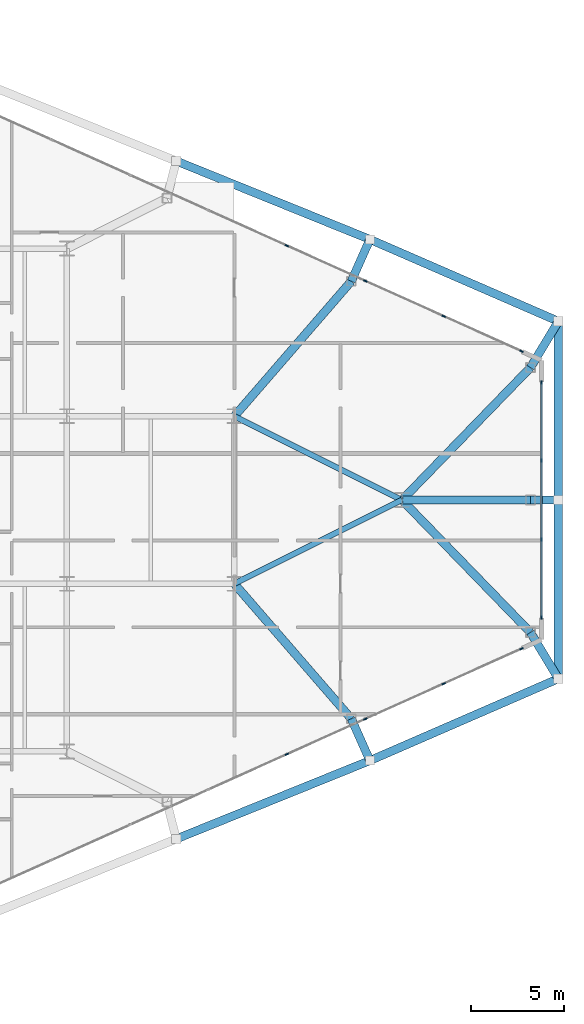
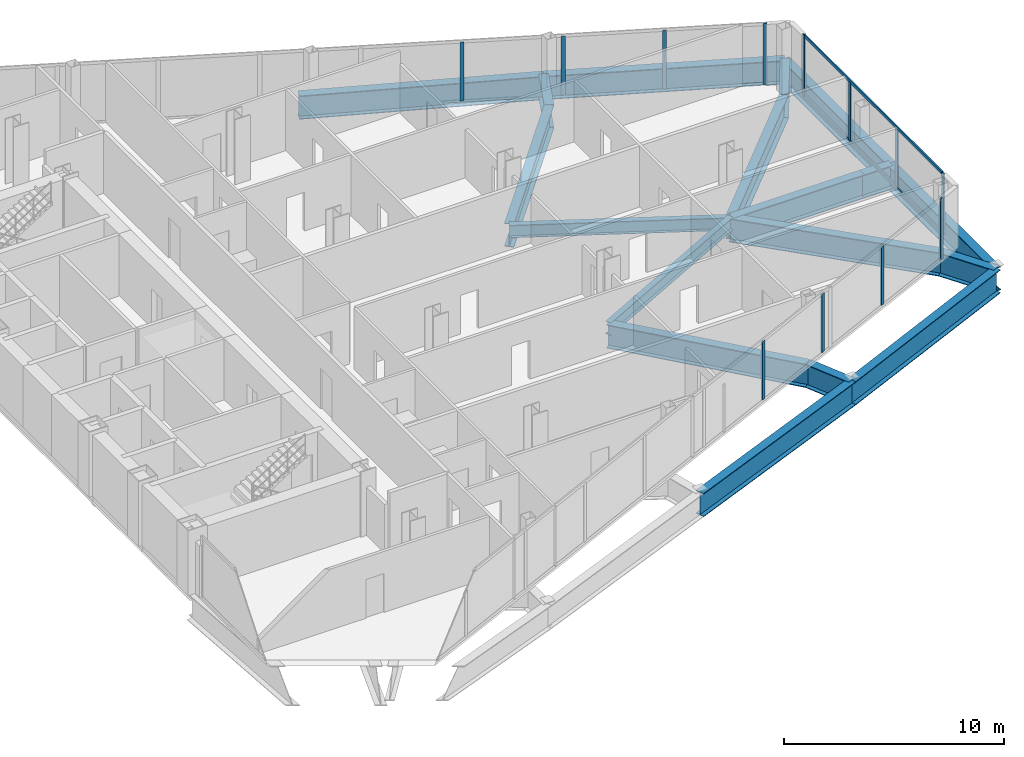
# One storey, part 17 of 29: 18 beams, 14 members, 3 elements without a shape of their own.
"""IFC4 building model written with IfcOpenShell, lengths in metres."""

from ifc_helpers import new_model, si_unit, direction, frame, origin, origin_2d, place, context, subcontext, project, spatial, rectangle, i_section, extrude, source, transform, mapped, material, layer, layer_set, material_profile, profile_set, type_object, type_shapes, element, aggregate, save


model = new_model("IFC4")

# Units and contexts
model_context = context("Model", 3, precision=1e-05, world=origin(), true_north=direction((0.0, 1.0)))
body_context = subcontext(model_context, "Body", "Model", "MODEL_VIEW")
ifc_project = project(units=[si_unit("LENGTHUNIT", "METRE"), si_unit("AREAUNIT", "SQUARE_METRE"), si_unit("VOLUMEUNIT", "CUBIC_METRE"), si_unit("PLANEANGLEUNIT", "RADIAN"), si_unit("MASSUNIT", "GRAM", prefix="KILO")], contexts=[model_context])

# Site, building, storey
site_placement = place(None, origin())
site = spatial("IfcSite", under=ifc_project, at=site_placement, CompositionType="ELEMENT")
building_placement = place(site_placement, origin())
building = spatial("IfcBuilding", under=site, at=building_placement, Name="Seokmaru Belvedere", CompositionType="ELEMENT")
storey_placement = place(building_placement, frame((0.0, 0.0, 62.10009765625)))
storey = spatial("IfcBuildingStorey", under=building, at=storey_placement, Name="L16", CompositionType="ELEMENT", Elevation=62.10009765625)

# Beams
ifc_material_1 = material(Name="Steel SM355 (355 MPa)", Category="steel")
ifc_material_profile_1 = material_profile(ifc_material_1, i_section(OverallWidth=0.300048828125, OverallDepth=0.699951171875, WebThickness=0.012939453125, FlangeThickness=0.02392578125, at=origin_2d()), Name="H-700x300x13x24")
ifc_profile_set_1 = profile_set([ifc_material_profile_1], Name="Steel SM355 (355 MPa)")
beam_type_1 = type_object("IfcBeamType", Name="Primary Floor Girder H-700", PredefinedType="BEAM", material=ifc_profile_set_1)
shared_shape_1 = source(origin(), body_context, "Body", "SweptSolid", [
    extrude(i_section(OverallWidth=0.300048828125, OverallDepth=0.699951171875, WebThickness=0.012939453125, FlangeThickness=0.02392578125, at=origin_2d()), origin(), (0.0, 0.0, 1.0), 10.062255859375),
])
type_shapes(beam_type_1, [shared_shape_1])
for number, where, z_axis, x_axis, name in (
    (1, (54.5, -4.5, -0.570068359375), (0.894427191, 0.4472135955, 0.0), (-0.4472135955, 0.894427191, 0.0), "L16 E Apex Converging Girder 1"),
    (2, (54.5, 4.5, -0.570068359375), (0.894427191, -0.4472135955, 0.0), (0.4472135955, 0.894427191, 0.0), "L16 E Apex Converging Girder 2"),
):
    element("IfcBeam", number, at=place(storey_placement, frame(where, z_axis=z_axis, x_axis=x_axis)), inside=storey, type_object=beam_type_1, Name=name, PredefinedType="BEAM", context=body_context, shape_type="MappedRepresentation", body=[
        mapped(shared_shape_1, transform((0.0, 0.0, 0.0), scale=1.0)),
    ])
ifc_material_2 = material(Name="Steel HSA650 (650 MPa)", Category="steel")
ifc_material_profile_2 = material_profile(ifc_material_2, i_section(OverallWidth=0.449951171875, OverallDepth=1.300048828125, WebThickness=0.02197265625, FlangeThickness=0.0380859375, at=origin_2d()), Name="BH-1300x450x22x38")
ifc_profile_set_2 = profile_set([ifc_material_profile_2], Name="Steel HSA650 (650 MPa)")
beam_type_2 = type_object("IfcBeamType", Name="Observatory Long-Span Roof Girder BH-1300", PredefinedType="BEAM", material=ifc_profile_set_2)
shared_shape_2 = source(origin(), body_context, "Body", "SweptSolid", [
    extrude(i_section(OverallWidth=0.449951171875, OverallDepth=1.300048828125, WebThickness=0.02197265625, FlangeThickness=0.0380859375, at=origin_2d()), origin(), (0.0, 0.0, 1.0), 11.220703125),
])
for number, where, z_axis, x_axis, name in (
    (3, (51.378173828125, -18.2041015625, -0.8701171875), (0.926944290816, 0.375198989503, 0.0), (-0.375198989503, 0.926944290816, 0.0), "L16 E Faceted Flank Spandrel S-3"),
    (4, (51.378173828125, 18.2041015625, -0.8701171875), (0.926944290816, -0.375198989503, 0.0), (0.375198989503, 0.926944290816, 0.0), "L16 E Faceted Flank Spandrel N-3"),
):
    element("IfcBeam", number, at=place(storey_placement, frame(where, z_axis=z_axis, x_axis=x_axis)), inside=storey, type_object=beam_type_2, Name=name, PredefinedType="BEAM", context=body_context, shape_type="MappedRepresentation", body=[
        mapped(shared_shape_2, transform((0.0, 0.0, 0.0), scale=1.0)),
    ])
shared_shape_3 = source(origin(), body_context, "Body", "SweptSolid", [
    extrude(i_section(OverallWidth=0.449951171875, OverallDepth=1.300048828125, WebThickness=0.02197265625, FlangeThickness=0.0380859375, at=origin_2d()), origin(), (0.0, 0.0, 1.0), 11.035400390625),
])
for number, where, z_axis, x_axis, name in (
    (5, (61.779052734375, -13.994140625, -0.8701171875), (0.917134058682, 0.398578873507, 0.0), (-0.398578873507, 0.917134058682, 0.0), "L16 E Faceted Flank Spandrel S-4"),
    (6, (61.779052734375, 13.994140625, -0.8701171875), (0.917134058682, -0.398578873507, 0.0), (0.398578873507, 0.917134058682, 0.0), "L16 E Faceted Flank Spandrel N-4"),
):
    element("IfcBeam", number, at=place(storey_placement, frame(where, z_axis=z_axis, x_axis=x_axis)), inside=storey, type_object=beam_type_2, Name=name, PredefinedType="BEAM", context=body_context, shape_type="MappedRepresentation", body=[
        mapped(shared_shape_3, transform((0.0, 0.0, 0.0), scale=1.0)),
    ])
shared_shape_4 = source(origin(), body_context, "Body", "SweptSolid", [
    extrude(i_section(OverallWidth=0.449951171875, OverallDepth=1.300048828125, WebThickness=0.02197265625, FlangeThickness=0.0380859375, at=origin_2d()), origin(), (0.0, 0.0, 1.0), 9.595703125),
])
for number, where, z_axis, x_axis, name in (
    (7, (71.89990234375, -9.595703125, -0.8701171875), (0.0, 1.0, 0.0), (-1.0, 0.0, 0.0), "L16 E Faceted Apex Spandrel S"),
    (8, (71.89990234375, 0.0, -0.8701171875), (0.0, 1.0, 0.0), (-1.0, 0.0, 0.0), "L16 E Faceted Apex Spandrel N"),
):
    element("IfcBeam", number, at=place(storey_placement, frame(where, z_axis=z_axis, x_axis=x_axis)), inside=storey, type_object=beam_type_2, Name=name, PredefinedType="BEAM", context=body_context, shape_type="MappedRepresentation", body=[
        mapped(shared_shape_4, transform((0.0, 0.0, 0.0), scale=1.0)),
    ])
shared_shape_5 = source(origin(), body_context, "Body", "SweptSolid", [
    extrude(i_section(OverallWidth=0.449951171875, OverallDepth=1.300048828125, WebThickness=0.02197265625, FlangeThickness=0.0380859375, at=origin_2d()), origin(), (0.0, 0.0, 1.0), 2.9013671875),
])
for number, where, z_axis, x_axis, name in (
    (9, (71.89990234375, -9.595703125, -0.8701171875), (-0.516980789056, 0.855996999847, 0.0), (-0.855996999847, -0.516980789056, 0.0), "L16 E Setback Transfer Girder 2"),
    (10, (71.89990234375, 9.595703125, -0.8701171875), (-0.516980789056, -0.855996999847, 0.0), (0.855996999847, -0.516980789056, 0.0), "L16 E Setback Transfer Girder 3"),
):
    element("IfcBeam", number, at=place(storey_placement, frame(where, z_axis=z_axis, x_axis=x_axis)), inside=storey, type_object=beam_type_2, Name=name, PredefinedType="BEAM", context=body_context, shape_type="MappedRepresentation", body=[
        mapped(shared_shape_5, transform((0.0, 0.0, 0.0), scale=1.0)),
    ])
shared_shape_6 = source(origin(), body_context, "Body", "SweptSolid", [
    extrude(i_section(OverallWidth=0.449951171875, OverallDepth=1.300048828125, WebThickness=0.02197265625, FlangeThickness=0.0380859375, at=origin_2d()), origin(), (0.0, 0.0, 1.0), 9.9091796875),
])
for number, where, z_axis, x_axis, name in (
    (11, (70.39990234375, -7.112060546875, -0.8701171875), (-0.6963205089, 0.717730972499, 0.0), (-0.717730972499, -0.6963205089, 0.0), "L16 E Apex Sanity Tie Girder 2"),
    (12, (70.39990234375, 7.112060546875, -0.8701171875), (-0.6963205089, -0.717730972499, 0.0), (0.717730972499, -0.6963205089, 0.0), "L16 E Apex Sanity Tie Girder 3"),
):
    element("IfcBeam", number, at=place(storey_placement, frame(where, z_axis=z_axis, x_axis=x_axis)), inside=storey, type_object=beam_type_2, Name=name, PredefinedType="BEAM", context=body_context, shape_type="MappedRepresentation", body=[
        mapped(shared_shape_6, transform((0.0, 0.0, 0.0), scale=1.0)),
    ])
shared_shape_7 = source(origin(), body_context, "Body", "SweptSolid", [
    extrude(i_section(OverallWidth=0.449951171875, OverallDepth=1.300048828125, WebThickness=0.02197265625, FlangeThickness=0.0380859375, at=origin_2d()), origin(), (0.0, 0.0, 1.0), 2.4580078125),
])
for number, where, z_axis, x_axis, name in (
    (13, (61.779052734375, -13.994140625, -0.8701171875), (-0.407409775642, 0.913245462464, 0.0), (-0.913245462464, -0.407409775642, 0.0), "L16 E Flank Setback Step Girder S-3"),
    (14, (61.779052734375, 13.994140625, -0.8701171875), (-0.407409775642, -0.913245462464, 0.0), (0.913245462464, -0.407409775642, 0.0), "L16 E Flank Setback Step Girder N-3"),
):
    element("IfcBeam", number, at=place(storey_placement, frame(where, z_axis=z_axis, x_axis=x_axis)), inside=storey, type_object=beam_type_2, Name=name, PredefinedType="BEAM", context=body_context, shape_type="MappedRepresentation", body=[
        mapped(shared_shape_7, transform((0.0, 0.0, 0.0), scale=1.0)),
    ])
shared_shape_8 = source(origin(), body_context, "Body", "SweptSolid", [
    extrude(i_section(OverallWidth=0.449951171875, OverallDepth=1.300048828125, WebThickness=0.02197265625, FlangeThickness=0.0380859375, at=origin_2d()), origin(), (0.0, 0.0, 1.0), 9.589599609375),
])
for number, where, z_axis, x_axis, name in (
    (15, (60.777587890625, -11.749267578125, -0.8701171875), (-0.654626140929, 0.755952786629, 0.0), (-0.755952786629, -0.654626140929, 0.0), "L16 E Flank Setback Back-Span Girder S-3"),
    (16, (60.777587890625, 11.749267578125, -0.8701171875), (-0.654626140929, -0.755952786629, 0.0), (0.755952786629, -0.654626140929, 0.0), "L16 E Flank Setback Back-Span Girder N-3"),
):
    element("IfcBeam", number, at=place(storey_placement, frame(where, z_axis=z_axis, x_axis=x_axis)), inside=storey, type_object=beam_type_2, Name=name, PredefinedType="BEAM", context=body_context, shape_type="MappedRepresentation", body=[
        mapped(shared_shape_8, transform((0.0, 0.0, 0.0), scale=1.0)),
    ])
shared_shape_9 = source(origin(), body_context, "Body", "SweptSolid", [
    extrude(i_section(OverallWidth=0.449951171875, OverallDepth=1.300048828125, WebThickness=0.02197265625, FlangeThickness=0.0380859375, at=origin_2d()), origin(), (0.0, 0.0, 1.0), 1.5),
])
beam_1_placement = place(storey_placement, frame((71.89990234375, 0.0, -0.8701171875), z_axis=(-1.0, 0.0, 0.0), x_axis=(0.0, -1.0, 0.0)))
element("IfcBeam", 17, at=beam_1_placement, inside=storey, type_object=beam_type_2, Name="L16 Apex Mid Setback Step Girder", PredefinedType="BEAM", context=body_context, shape_type="MappedRepresentation", body=[
    mapped(shared_shape_9, transform((0.0, 0.0, 0.0), scale=1.0)),
])
shared_shape_10 = source(origin(), body_context, "Body", "SweptSolid", [
    extrude(i_section(OverallWidth=0.449951171875, OverallDepth=1.300048828125, WebThickness=0.02197265625, FlangeThickness=0.0380859375, at=origin_2d()), origin(), (0.0, 0.0, 1.0), 6.89990234375),
])
type_shapes(beam_type_2, [shared_shape_2, shared_shape_3, shared_shape_4, shared_shape_5, shared_shape_6, shared_shape_7, shared_shape_8, shared_shape_9, shared_shape_10])
beam_2_placement = place(storey_placement, frame((70.39990234375, 0.0, -0.8701171875), z_axis=(-1.0, 0.0, 0.0), x_axis=(0.0, -1.0, 0.0)))
element("IfcBeam", 18, at=beam_2_placement, inside=storey, type_object=beam_type_2, Name="L16 Apex Mid Setback Back-Span", PredefinedType="BEAM", context=body_context, shape_type="MappedRepresentation", body=[
    mapped(shared_shape_10, transform((0.0, 0.0, 0.0), scale=1.0)),
])

# Curtain wall, member
ifc_material_3 = material(Name="Bronze Triple Insulating Glass", Category="glass")
ifc_layer = layer(ifc_material_3, 0.195068359375)
ifc_layer_set = layer_set([ifc_layer], Name="Bronze Triple Insulating Glass")
curtain_wall_type = type_object("IfcCurtainWallType", Name="Lower-Mid Tapered Curtain Wall System CW-3", PredefinedType="NOTDEFINED", material=ifc_layer_set)
curtain_wall_1_placement = place(storey_placement, origin())
curtain_wall_1 = element("IfcCurtainWall", 19, at=curtain_wall_1_placement, inside=storey, type_object=curtain_wall_type, Name="L16 Curtain Wall EF1", PredefinedType="NOTDEFINED")
ifc_material_4 = material(Name="Anodised Bronze Aluminium", Category="aluminium")
ifc_material_profile_3 = material_profile(ifc_material_4, rectangle(XDim=0.070068359375, YDim=0.195068359375, at=origin_2d()), Name="CW-M-70x195")
ifc_profile_set_3 = profile_set([ifc_material_profile_3], Name="Anodised Bronze Aluminium")
member_type_1 = type_object("IfcMemberType", Name="Bronze Unitised Mullion 70x195", PredefinedType="MULLION", material=ifc_profile_set_3)
shared_shape_11 = source(origin(), body_context, "Body", "SweptSolid", [
    extrude(rectangle(XDim=0.070068359375, YDim=0.195068359375, at=origin_2d()), origin(), (0.0, 0.0, 1.0), 3.3798828125),
])
member_1_placement = place(storey_placement, frame((69.91943359375, -7.986328125, 0.0), z_axis=(0.0, 0.0, 1.0), x_axis=(-0.41036554765, 0.91192111353, 0.0)))
member_1 = element("IfcMember", 20, at=member_1_placement, type_object=member_type_1, Name="CW:L16:EF1 Mullion 10", PredefinedType="MULLION", context=body_context, shape_type="MappedRepresentation", body=[
    mapped(shared_shape_11, transform((0.0, 0.0, 0.0), scale=1.0)),
])

# Curtain wall, members
curtain_wall_2_placement = place(storey_placement, origin())
curtain_wall_2 = element("IfcCurtainWall", 21, at=curtain_wall_2_placement, inside=storey, type_object=curtain_wall_type, Name="L16 Curtain Wall EF2", PredefinedType="NOTDEFINED")
member_2_placement = place(storey_placement, frame((71.0, -6.31494140625, 0.0), z_axis=(0.0, 0.0, 1.0), x_axis=(-1.0, 0.0, 0.0)))
member_2 = element("IfcMember", 22, at=member_2_placement, type_object=member_type_1, Name="CW:L16:EF2 Mullion 1", PredefinedType="MULLION", context=body_context, shape_type="MappedRepresentation", body=[
    mapped(shared_shape_11, transform((0.0, 0.0, 0.0), scale=1.0)),
])
member_3_placement = place(storey_placement, frame((71.0, 6.31494140625, 0.0), z_axis=(0.0, 0.0, 1.0), x_axis=(-1.0, 0.0, 0.0)))
member_3 = element("IfcMember", 23, at=member_3_placement, type_object=member_type_1, Name="CW:L16:EF2 Mullion 4", PredefinedType="MULLION", context=body_context, shape_type="MappedRepresentation", body=[
    mapped(shared_shape_11, transform((0.0, 0.0, 0.0), scale=1.0)),
])

# Curtain wall, member
curtain_wall_3_placement = place(storey_placement, origin())
curtain_wall_3 = element("IfcCurtainWall", 24, at=curtain_wall_3_placement, inside=storey, type_object=curtain_wall_type, Name="L16 Curtain Wall EF3", PredefinedType="NOTDEFINED")
member_4_placement = place(storey_placement, frame((69.91943359375, 7.986328125, 0.0), z_axis=(0.0, 0.0, 1.0), x_axis=(-0.41036554765, -0.91192111353, 0.0)))
member_4 = element("IfcMember", 25, at=member_4_placement, type_object=member_type_1, Name="CW:L16:EF3 Mullion 1", PredefinedType="MULLION", context=body_context, shape_type="MappedRepresentation", body=[
    mapped(shared_shape_11, transform((0.0, 0.0, 0.0), scale=1.0)),
])

# Member
shared_shape_12 = source(origin(), body_context, "Body", "SweptSolid", [
    extrude(rectangle(XDim=0.070068359375, YDim=0.195068359375, at=origin_2d()), origin(), (0.0, 0.0, 1.0), 3.239990234375),
])
type_shapes(member_type_1, [shared_shape_11, shared_shape_12])
member_5_placement = place(storey_placement, frame((57.317138671875, -13.6572265625, 0.06982421875), z_axis=(0.0, 0.0, 1.0), x_axis=(-0.41036554765, 0.91192111353, 0.0)))
member_5 = element("IfcMember", 26, at=member_5_placement, type_object=member_type_1, Name="CW:L16:EF1 Mullion 7", PredefinedType="MULLION", context=body_context, shape_type="MappedRepresentation", body=[
    mapped(shared_shape_12, transform((0.0, 0.0, 0.0), scale=1.0)),
])

member_6_placement = place(storey_placement, frame((61.528564453125, -11.76220703125, 0.06982421875), z_axis=(0.0, 0.0, 1.0), x_axis=(-0.41036554765, 0.91192111353, 0.0)))
member_6 = element("IfcMember", 27, at=member_6_placement, type_object=member_type_1, Name="CW:L16:EF1 Mullion 8", PredefinedType="MULLION", context=body_context, shape_type="MappedRepresentation", body=[
    mapped(shared_shape_12, transform((0.0, 0.0, 0.0), scale=1.0)),
])

member_7_placement = place(storey_placement, frame((65.739990234375, -9.866943359375, 0.06982421875), z_axis=(0.0, 0.0, 1.0), x_axis=(-0.41036554765, 0.91192111353, 0.0)))
member_7 = element("IfcMember", 28, at=member_7_placement, type_object=member_type_1, Name="CW:L16:EF1 Mullion 9", PredefinedType="MULLION", context=body_context, shape_type="MappedRepresentation", body=[
    mapped(shared_shape_12, transform((0.0, 0.0, 0.0), scale=1.0)),
])

aggregate(curtain_wall_1, [member_5, member_6, member_7, member_1])

member_8_placement = place(storey_placement, frame((71.0, -2.11669921875, 0.06982421875), z_axis=(0.0, 0.0, 1.0), x_axis=(-1.0, 0.0, 0.0)))
member_8 = element("IfcMember", 29, at=member_8_placement, type_object=member_type_1, Name="CW:L16:EF2 Mullion 2", PredefinedType="MULLION", context=body_context, shape_type="MappedRepresentation", body=[
    mapped(shared_shape_12, transform((0.0, 0.0, 0.0), scale=1.0)),
])

member_9_placement = place(storey_placement, frame((71.0, 2.11669921875, 0.06982421875), z_axis=(0.0, 0.0, 1.0), x_axis=(-1.0, 0.0, 0.0)))
member_9 = element("IfcMember", 30, at=member_9_placement, type_object=member_type_1, Name="CW:L16:EF2 Mullion 3", PredefinedType="MULLION", context=body_context, shape_type="MappedRepresentation", body=[
    mapped(shared_shape_12, transform((0.0, 0.0, 0.0), scale=1.0)),
])

member_10_placement = place(storey_placement, frame((65.739990234375, 9.866943359375, 0.06982421875), z_axis=(0.0, 0.0, 1.0), x_axis=(-0.41036554765, -0.91192111353, 0.0)))
member_10 = element("IfcMember", 31, at=member_10_placement, type_object=member_type_1, Name="CW:L16:EF3 Mullion 2", PredefinedType="MULLION", context=body_context, shape_type="MappedRepresentation", body=[
    mapped(shared_shape_12, transform((0.0, 0.0, 0.0), scale=1.0)),
])

member_11_placement = place(storey_placement, frame((61.528564453125, 11.76220703125, 0.06982421875), z_axis=(0.0, 0.0, 1.0), x_axis=(-0.41036554765, -0.91192111353, 0.0)))
member_11 = element("IfcMember", 32, at=member_11_placement, type_object=member_type_1, Name="CW:L16:EF3 Mullion 3", PredefinedType="MULLION", context=body_context, shape_type="MappedRepresentation", body=[
    mapped(shared_shape_12, transform((0.0, 0.0, 0.0), scale=1.0)),
])

member_12_placement = place(storey_placement, frame((57.317138671875, 13.6572265625, 0.06982421875), z_axis=(0.0, 0.0, 1.0), x_axis=(-0.41036554765, -0.91192111353, 0.0)))
member_12 = element("IfcMember", 33, at=member_12_placement, type_object=member_type_1, Name="CW:L16:EF3 Mullion 4", PredefinedType="MULLION", context=body_context, shape_type="MappedRepresentation", body=[
    mapped(shared_shape_12, transform((0.0, 0.0, 0.0), scale=1.0)),
])

aggregate(curtain_wall_3, [member_4, member_10, member_11, member_12])

ifc_material_profile_4 = material_profile(ifc_material_4, rectangle(XDim=0.070068359375, YDim=0.1650390625, at=origin_2d()), Name="CW-T-70x165")
ifc_profile_set_4 = profile_set([ifc_material_profile_4], Name="Anodised Bronze Aluminium")
member_type_2 = type_object("IfcMemberType", Name="Bronze Unitised Transom 70x165", PredefinedType="USERDEFINED", material=ifc_profile_set_4)
shared_shape_13 = source(origin(), body_context, "Body", "SweptSolid", [
    extrude(rectangle(XDim=0.070068359375, YDim=0.1650390625, at=origin_2d()), origin(), (0.0, 0.0, 1.0), 12.56005859375),
])
type_shapes(member_type_2, [shared_shape_13])
member_13_placement = place(storey_placement, frame((71.0, -6.280029296875, 0.034912109375), z_axis=(0.0, 1.0, 0.0), x_axis=(-1.0, 0.0, 0.0)))
member_13 = element("IfcMember", 34, at=member_13_placement, type_object=member_type_2, Name="CW:L16:EF2 Continuous Transom 1", ObjectType="TRANSOM", PredefinedType="USERDEFINED", context=body_context, shape_type="MappedRepresentation", body=[
    mapped(shared_shape_13, transform((0.0, 0.0, 0.0), scale=1.0)),
])

member_14_placement = place(storey_placement, frame((71.0, -6.280029296875, 3.344970703125), z_axis=(0.0, 1.0, 0.0), x_axis=(-1.0, 0.0, 0.0)))
member_14 = element("IfcMember", 35, at=member_14_placement, type_object=member_type_2, Name="CW:L16:EF2 Continuous Transom 2", ObjectType="TRANSOM", PredefinedType="USERDEFINED", context=body_context, shape_type="MappedRepresentation", body=[
    mapped(shared_shape_13, transform((0.0, 0.0, 0.0), scale=1.0)),
])

aggregate(curtain_wall_2, [member_2, member_8, member_9, member_3, member_13, member_14])

save(model, "model.ifc")
